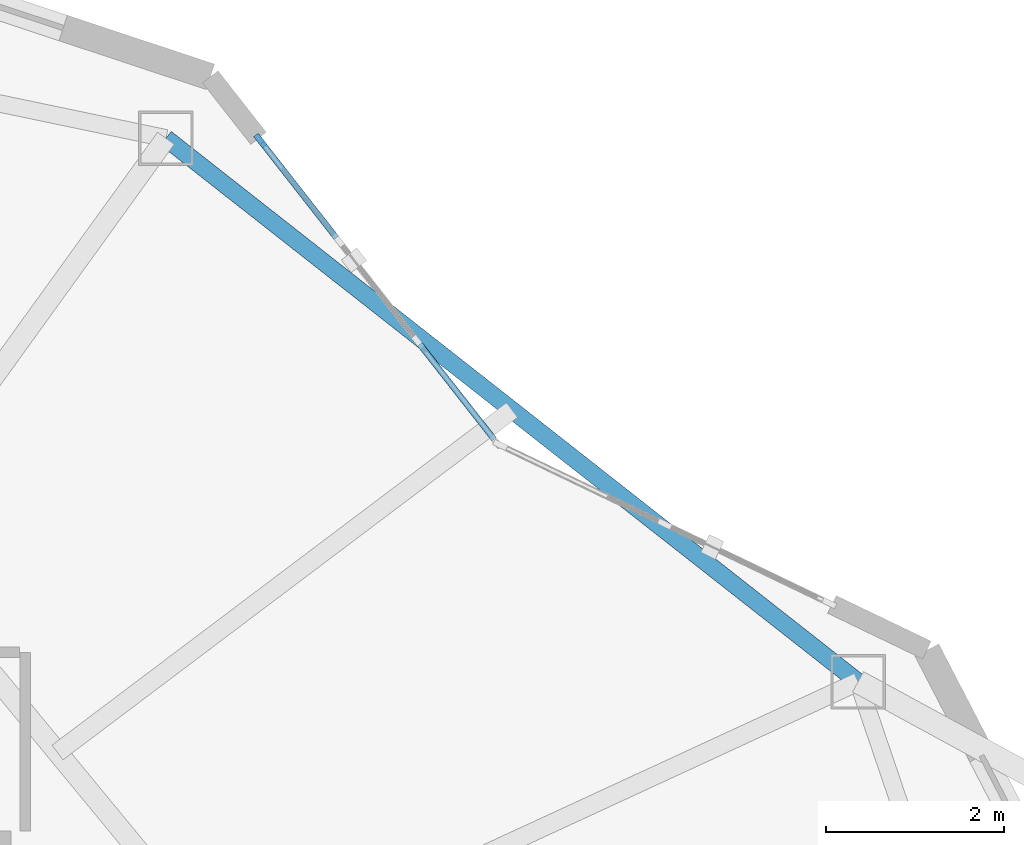
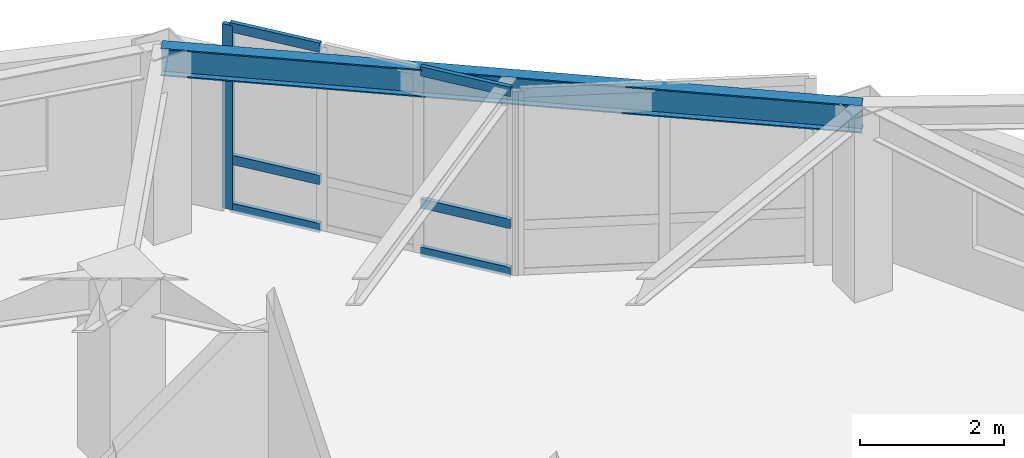
# One storey, part 6 of 18: 7 members, 1 beam, 1 element without a shape of its own.
"""IFC4 building model written with IfcOpenShell, lengths in metres."""

from ifc_helpers import new_model, si_unit, direction, frame, origin, origin_2d, place, context, subcontext, project, spatial, rectangle, i_section, extrude, material, layer, layer_set, material_profile, profile_set, type_object, element, aggregate, save


model = new_model("IFC4")

# Units and contexts
model_context = context("Model", 3, precision=1e-05, world=origin(), true_north=direction((0.0, 1.0)))
body_context = subcontext(model_context, "Body", "Model", "MODEL_VIEW")
ifc_project = project(units=[si_unit("LENGTHUNIT", "METRE"), si_unit("AREAUNIT", "SQUARE_METRE"), si_unit("VOLUMEUNIT", "CUBIC_METRE"), si_unit("PLANEANGLEUNIT", "RADIAN"), si_unit("MASSUNIT", "GRAM", prefix="KILO")], contexts=[model_context])

# Site, building, storey
site_placement = place(None, origin())
site = spatial("IfcSite", under=ifc_project, at=site_placement, CompositionType="ELEMENT")
building_placement = place(site_placement, origin())
building = spatial("IfcBuilding", under=site, at=building_placement, Name="Kolvaren Gate Tower and Convention Centre", CompositionType="ELEMENT")
storey_placement = place(building_placement, frame((0.0, 0.0, 176.699951171875)))
storey = spatial("IfcBuildingStorey", under=building, at=storey_placement, Name="L46", CompositionType="ELEMENT", Elevation=176.699951171875)

# Curtain wall, members
ifc_material_1 = material(Name="Anodized Architectural Aluminium Alloy 6063-T6", Category="aluminium")
ifc_layer = layer(ifc_material_1, 0.159912109375)
ifc_layer_set = layer_set([ifc_layer], Name="Anodized Architectural Aluminium Alloy 6063-T6")
curtain_wall_type = type_object("IfcCurtainWallType", Name="CW-HTL-UNIT", PredefinedType="NOTDEFINED", material=ifc_layer_set)
curtain_wall_placement = place(storey_placement, origin())
curtain_wall = element("IfcCurtainWall", 1, at=curtain_wall_placement, inside=storey, type_object=curtain_wall_type, Name="Tower L46 Unitised Curtain Wall CW-HTL-UNIT Bay 03", PredefinedType="NOTDEFINED")
ifc_material_profile_1 = material_profile(ifc_material_1, rectangle(XDim=0.06494140625, YDim=0.159912109375, at=origin_2d()), Name="CW-MEM-MUL-160")
ifc_profile_set_1 = profile_set([ifc_material_profile_1], Name="Anodized Architectural Aluminium Alloy 6063-T6")
member_type_1 = type_object("IfcMemberType", Name="CW-MEM-MUL-160", PredefinedType="MULLION", material=ifc_profile_set_1)
member_1_placement = place(storey_placement, frame((41.65380859375, 41.4833984375, 0.0), z_axis=(0.0, 0.0, 1.0), x_axis=(0.787403535469, 0.616437890084, 0.0)))
member_1 = element("IfcMember", 2, at=member_1_placement, type_object=member_type_1, Name="CW-03 mullion 1", PredefinedType="MULLION", context=body_context, shape_type="SweptSolid", body=[
    extrude(rectangle(XDim=0.06494140625, YDim=0.159912109375, at=origin_2d()), origin(), (0.0, 0.0, 1.0), 3.130126953125),
])
ifc_material_profile_2 = material_profile(ifc_material_1, rectangle(XDim=0.06494140625, YDim=0.159912109375, at=origin_2d()), Name="CW-MEM-TRN-160")
ifc_profile_set_2 = profile_set([ifc_material_profile_2], Name="Anodized Architectural Aluminium Alloy 6063-T6")
member_type_2 = type_object("IfcMemberType", Name="CW-MEM-TRN-160", PredefinedType="USERDEFINED", material=ifc_profile_set_2)
member_2_placement = place(storey_placement, frame((41.673828125, 41.457763671875, 0.032470703125), z_axis=(0.616488451497, -0.787363949626, 0.0), x_axis=(0.787363949626, 0.616488451497, 0.0)))
member_2 = element("IfcMember", 3, at=member_2_placement, type_object=member_type_2, Name="CW-03 transom 1.1", ObjectType="TRANSOM", PredefinedType="USERDEFINED", context=body_context, shape_type="SweptSolid", body=[
    extrude(rectangle(XDim=0.06494140625, YDim=0.159912109375, at=origin_2d()), origin(), (0.0, 0.0, 1.0), 1.3515625),
])
member_3_placement = place(storey_placement, frame((41.673828125, 41.457763671875, 0.85009765625), z_axis=(0.616488451497, -0.787363949626, 0.0), x_axis=(0.787363949626, 0.616488451497, 0.0)))
member_3 = element("IfcMember", 4, at=member_3_placement, type_object=member_type_2, Name="CW-03 transom 1.2", ObjectType="TRANSOM", PredefinedType="USERDEFINED", context=body_context, shape_type="SweptSolid", body=[
    extrude(rectangle(XDim=0.06494140625, YDim=0.159912109375, at=origin_2d()), origin(), (0.0, 0.0, 1.0), 1.3515625),
])
member_4_placement = place(storey_placement, frame((41.673828125, 41.457763671875, 3.09765625), z_axis=(0.616488451497, -0.787363949626, 0.0), x_axis=(0.787363949626, 0.616488451497, 0.0)))
member_4 = element("IfcMember", 5, at=member_4_placement, type_object=member_type_2, Name="CW-03 transom 1.3", ObjectType="TRANSOM", PredefinedType="USERDEFINED", context=body_context, shape_type="SweptSolid", body=[
    extrude(rectangle(XDim=0.06494140625, YDim=0.159912109375, at=origin_2d()), origin(), (0.0, 0.0, 1.0), 1.3515625),
])
member_5_placement = place(storey_placement, frame((43.440185546875, 39.201416015625, 0.032470703125), z_axis=(0.616488451497, -0.787363949626, 0.0), x_axis=(0.787363949626, 0.616488451497, 0.0)))
member_5 = element("IfcMember", 6, at=member_5_placement, type_object=member_type_2, Name="CW-03 transom 3.1", ObjectType="TRANSOM", PredefinedType="USERDEFINED", context=body_context, shape_type="SweptSolid", body=[
    extrude(rectangle(XDim=0.06494140625, YDim=0.159912109375, at=origin_2d()), origin(), (0.0, 0.0, 1.0), 1.3515625),
])
member_6_placement = place(storey_placement, frame((43.440185546875, 39.201416015625, 0.85009765625), z_axis=(0.616488451497, -0.787363949626, 0.0), x_axis=(0.787363949626, 0.616488451497, 0.0)))
member_6 = element("IfcMember", 7, at=member_6_placement, type_object=member_type_2, Name="CW-03 transom 3.2", ObjectType="TRANSOM", PredefinedType="USERDEFINED", context=body_context, shape_type="SweptSolid", body=[
    extrude(rectangle(XDim=0.06494140625, YDim=0.159912109375, at=origin_2d()), origin(), (0.0, 0.0, 1.0), 1.3515625),
])
member_7_placement = place(storey_placement, frame((43.440185546875, 39.201416015625, 3.09765625), z_axis=(0.616488451497, -0.787363949626, 0.0), x_axis=(0.787363949626, 0.616488451497, 0.0)))
member_7 = element("IfcMember", 8, at=member_7_placement, type_object=member_type_2, Name="CW-03 transom 3.3", ObjectType="TRANSOM", PredefinedType="USERDEFINED", context=body_context, shape_type="SweptSolid", body=[
    extrude(rectangle(XDim=0.06494140625, YDim=0.159912109375, at=origin_2d()), origin(), (0.0, 0.0, 1.0), 1.3515625),
])
aggregate(curtain_wall, [member_1, member_2, member_3, member_4, member_5, member_6, member_7])

# Beam
ifc_material_2 = material(Name="Structural steel ASTM A992 Grade 345 MPa", Category="steel")
ifc_material_profile_3 = material_profile(ifc_material_2, i_section(OverallWidth=0.194091796875, OverallDepth=0.468994140625, WebThickness=0.0126953125, FlangeThickness=0.0205078125, at=origin_2d()), Name="W460X106")
ifc_profile_set_3 = profile_set([ifc_material_profile_3], Name="Structural steel ASTM A992 Grade 345 MPa")
beam_type = type_object("IfcBeamType", Name="STR-SP-W460X106", PredefinedType="SPANDREL", material=ifc_profile_set_3)
beam_placement = place(storey_placement, frame((48.351806640625, 35.418701171875, 2.8955078125), z_axis=(-0.786450621777, 0.617653154697, 0.0), x_axis=(-0.617653154697, -0.786450621777, 0.0)))
element("IfcBeam", 9, at=beam_placement, inside=storey, type_object=beam_type, Name="Tower L46 Perimeter Spandrel Beam SP-02", PredefinedType="SPANDREL", context=body_context, shape_type="SweptSolid", body=[
    extrude(i_section(OverallWidth=0.194091796875, OverallDepth=0.468994140625, WebThickness=0.0126953125, FlangeThickness=0.0205078125, at=origin_2d()), origin(), (0.0, 0.0, 1.0), 9.861328125),
])

save(model, "model.ifc")
